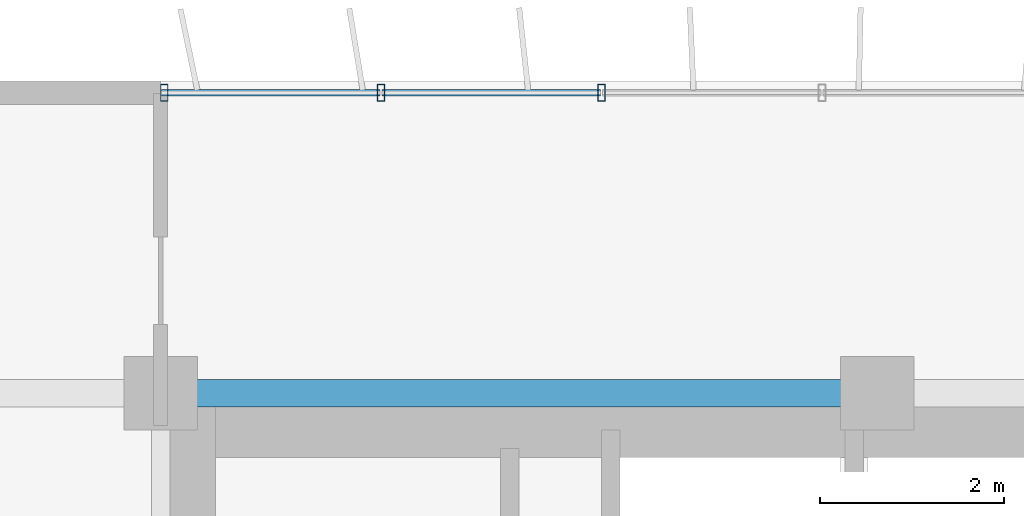
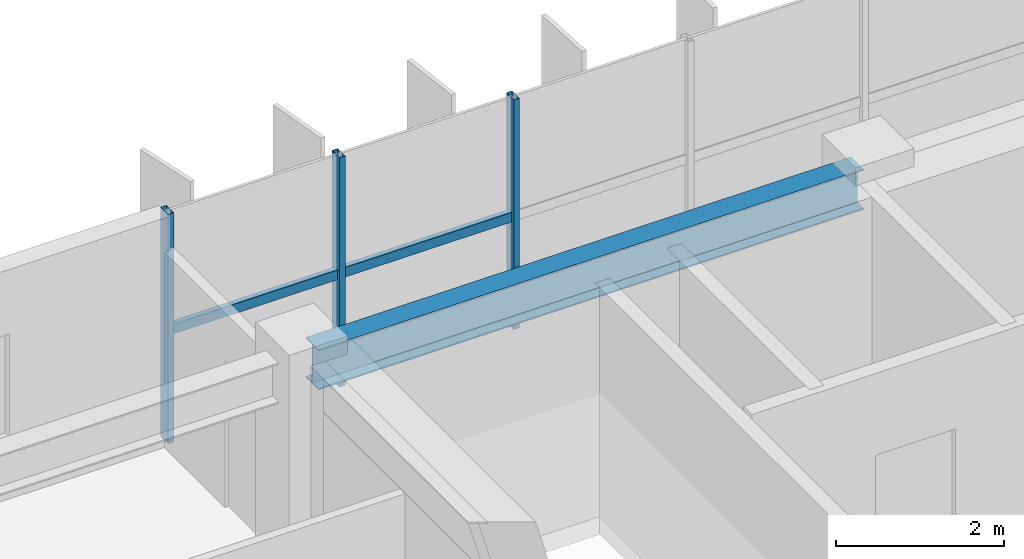
# One storey, part 5 of 22: 5 members, 1 beam, 1 element without a shape of its own.
"""IFC4 building model written with IfcOpenShell, lengths in metres."""

from ifc_helpers import new_model, si_unit, direction, frame, origin, origin_2d, place, context, subcontext, project, spatial, hollow_rectangle, i_section, extrude, source, transform, mapped, material, material_profile, profile_set, type_object, element, aggregate, save


model = new_model("IFC4")

# Units and contexts
model_context = context("Model", 3, precision=1e-05, world=origin(), true_north=direction((0.0, 1.0)))
body_context = subcontext(model_context, "Body", "Model", "MODEL_VIEW")
ifc_project = project(units=[si_unit("LENGTHUNIT", "METRE"), si_unit("AREAUNIT", "SQUARE_METRE"), si_unit("VOLUMEUNIT", "CUBIC_METRE"), si_unit("PLANEANGLEUNIT", "RADIAN"), si_unit("MASSUNIT", "GRAM", prefix="KILO")], contexts=[model_context])

# Site, building, storey
site_placement = place(None, origin())
site = spatial("IfcSite", under=ifc_project, at=site_placement, CompositionType="ELEMENT")
building_placement = place(site_placement, origin())
building = spatial("IfcBuilding", under=site, at=building_placement, Name="Trelvane Seafront Commons", CompositionType="ELEMENT")
storey_placement = place(building_placement, frame((0.0, 0.0, 114.10009765625)))
storey = spatial("IfcBuildingStorey", under=building, at=storey_placement, Name="L29", CompositionType="ELEMENT", Elevation=114.10009765625)

# Beam
ifc_material_1 = material(Name="Steel SM355 (S355)", Category="steel")
ifc_material_profile_1 = material_profile(ifc_material_1, i_section(OverallWidth=0.300048828125, OverallDepth=0.587890625, WebThickness=0.011962890625, FlangeThickness=0.02001953125, at=origin_2d()), Name="H-588x300x12x20")
ifc_profile_set_1 = profile_set([ifc_material_profile_1], Name="Steel SM355 (S355)")
beam_type = type_object("IfcBeamType", Name="STR-BM-H588", PredefinedType="BEAM", material=ifc_profile_set_1)
shared_shape_1 = source(origin(), body_context, "Body", "SweptSolid", [
    extrude(i_section(OverallWidth=0.300048828125, OverallDepth=0.587890625, WebThickness=0.011962890625, FlangeThickness=0.02001953125, at=origin_2d()), origin(), (0.0, 0.0, 1.0), 7.5),
])
beam_placement = place(storey_placement, frame((15.75, 45.10009765625, 3.0458984375), z_axis=(1.0, 0.0, 0.0), x_axis=(0.0, 1.0, 0.0)))
element("IfcBeam", 1, at=beam_placement, inside=storey, type_object=beam_type, Name="L29 Primary Girder G-30", PredefinedType="BEAM", context=body_context, shape_type="MappedRepresentation", body=[
    mapped(shared_shape_1, transform((0.0, 0.0, 0.0), x_axis=(1.0, 0.0, 0.0), y_axis=(0.0, 1.0, 0.0), z_axis=(0.0, 0.0, 1.0), scale=1.0)),
])

# Curtain wall, members
ifc_material_2 = material(Name="Anodised pale-silver aluminium", Category="aluminium")
curtain_wall_type = type_object("IfcCurtainWallType", Name="ARCH-CW4-SKYLOBBY", PredefinedType="NOTDEFINED", material=ifc_material_2)
curtain_wall_placement = place(storey_placement, origin())
curtain_wall = element("IfcCurtainWall", 2, at=curtain_wall_placement, inside=storey, type_object=curtain_wall_type, Name="CW-L29-0054", PredefinedType="NOTDEFINED")
ifc_material_profile_2 = material_profile(ifc_material_2, hollow_rectangle(XDim=0.074951171875, YDim=0.139892578125, WallThickness=0.00390625, at=origin_2d()), Name="TRAN-75x140x4")
ifc_profile_set_2 = profile_set([ifc_material_profile_2], Name="Anodised pale-silver aluminium")
member_type_1 = type_object("IfcMemberType", Name="ARCH-CW-TRAN-140", PredefinedType="USERDEFINED", material=ifc_profile_set_2)
shared_shape_2 = source(origin(), body_context, "Body", "SweptSolid", [
    extrude(hollow_rectangle(XDim=0.074951171875, YDim=0.139892578125, WallThickness=0.00390625, at=origin_2d()), origin(), (0.0, 0.0, 1.0), 2.3759765625),
])
member_1_placement = place(storey_placement, frame((15.612060546875, 48.3701171875, 1.602783203125), z_axis=(1.0, 0.0, 0.0), x_axis=(0.0, 1.0, 0.0)))
member_1 = element("IfcMember", 3, at=member_1_placement, type_object=member_type_1, Name="CW-L29-0054-T00", ObjectType="TRANSOM", PredefinedType="USERDEFINED", context=body_context, shape_type="MappedRepresentation", body=[
    mapped(shared_shape_2, transform((0.0, 0.0, 0.0), x_axis=(1.0, 0.0, 0.0), y_axis=(0.0, 1.0, 0.0), z_axis=(0.0, 0.0, 1.0), scale=1.0)),
])
member_2_placement = place(storey_placement, frame((18.011962890625, 48.3701171875, 1.602783203125), z_axis=(1.0, 0.0, 0.0), x_axis=(0.0, 1.0, 0.0)))
member_2 = element("IfcMember", 4, at=member_2_placement, type_object=member_type_1, Name="CW-L29-0054-T01", ObjectType="TRANSOM", PredefinedType="USERDEFINED", context=body_context, shape_type="MappedRepresentation", body=[
    mapped(shared_shape_2, transform((0.0, 0.0, 0.0), x_axis=(1.0, 0.0, 0.0), y_axis=(0.0, 1.0, 0.0), z_axis=(0.0, 0.0, 1.0), scale=1.0)),
])
ifc_material_profile_3 = material_profile(ifc_material_2, hollow_rectangle(XDim=0.080078125, YDim=0.179931640625, WallThickness=0.00439453125, at=origin_2d()), Name="MULL-80x180x4.5")
ifc_profile_set_3 = profile_set([ifc_material_profile_3], Name="Anodised pale-silver aluminium")
member_type_2 = type_object("IfcMemberType", Name="ARCH-CW-MULL-180", PredefinedType="MULLION", material=ifc_profile_set_3)
shared_shape_3 = source(origin(), body_context, "Body", "SweptSolid", [
    extrude(hollow_rectangle(XDim=0.080078125, YDim=0.179931640625, WallThickness=0.00439453125, at=origin_2d()), origin(), (0.0, 0.0, 1.0), 3.33984375),
])
member_3_placement = place(storey_placement, frame((15.639892578125, 48.3701171875, 0.0), z_axis=(0.0, 0.0, 1.0), x_axis=(1.0, 0.0, 0.0)))
member_3 = element("IfcMember", 5, at=member_3_placement, type_object=member_type_2, Name="CW-L29-0054-M00", PredefinedType="MULLION", context=body_context, shape_type="MappedRepresentation", body=[
    mapped(shared_shape_3, transform((0.0, 0.0, 0.0), x_axis=(1.0, 0.0, 0.0), y_axis=(0.0, 1.0, 0.0), z_axis=(0.0, 0.0, 1.0), scale=1.0)),
])
member_4_placement = place(storey_placement, frame((18.0, 48.3701171875, 0.0), z_axis=(0.0, 0.0, 1.0), x_axis=(1.0, 0.0, 0.0)))
member_4 = element("IfcMember", 6, at=member_4_placement, type_object=member_type_2, Name="CW-L29-0054-M01", PredefinedType="MULLION", context=body_context, shape_type="MappedRepresentation", body=[
    mapped(shared_shape_3, transform((0.0, 0.0, 0.0), x_axis=(1.0, 0.0, 0.0), y_axis=(0.0, 1.0, 0.0), z_axis=(0.0, 0.0, 1.0), scale=1.0)),
])
member_5_placement = place(storey_placement, frame((20.39990234375, 48.3701171875, 0.0), z_axis=(0.0, 0.0, 1.0), x_axis=(1.0, 0.0, 0.0)))
member_5 = element("IfcMember", 7, at=member_5_placement, type_object=member_type_2, Name="CW-L29-0054-M02", PredefinedType="MULLION", context=body_context, shape_type="MappedRepresentation", body=[
    mapped(shared_shape_3, transform((0.0, 0.0, 0.0), x_axis=(1.0, 0.0, 0.0), y_axis=(0.0, 1.0, 0.0), z_axis=(0.0, 0.0, 1.0), scale=1.0)),
])
aggregate(curtain_wall, [member_3, member_4, member_5, member_1, member_2])

save(model, "model.ifc")
